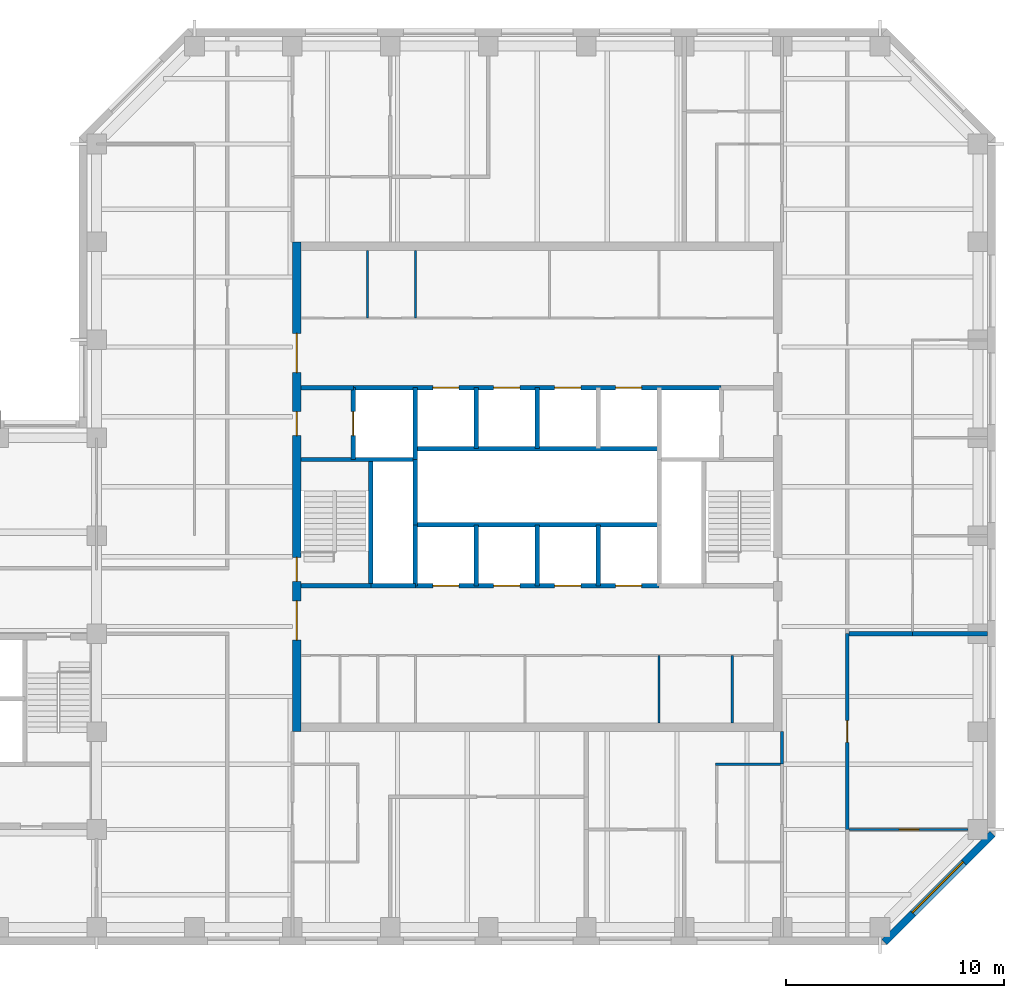
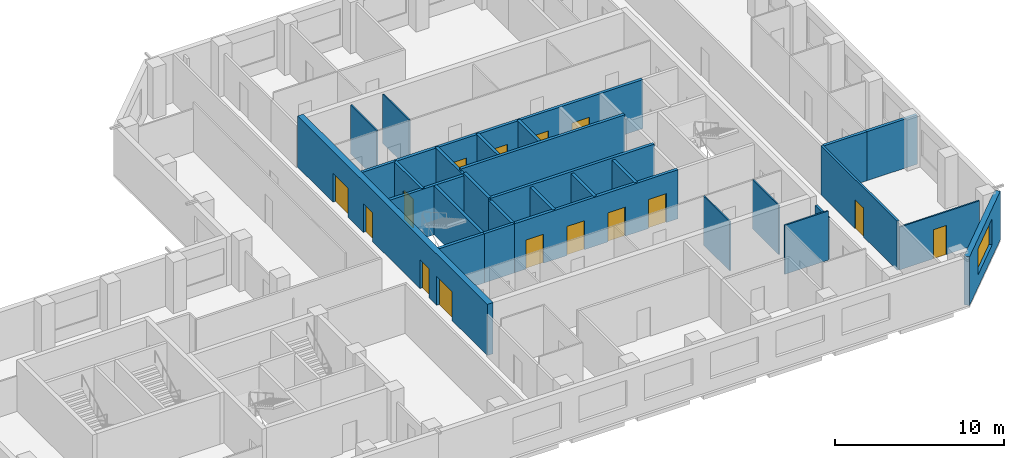
# One storey, part 5 of 9: 30 walls, 15 doors, 1 window, 16 openings.
"""IFC4 building model written with IfcOpenShell, lengths in metres."""

from ifc_helpers import new_model, si_unit, direction, frame, frame_2d, origin, place, context, subcontext, project, spatial, rectangle, extrude, material, layer, layer_set, constituent, constituent_set, type_object, element, fill, save


model = new_model("IFC4")

# Units and contexts
model_context = context("Model", 3, precision=1e-05, world=origin(), true_north=direction((0.0, 1.0)))
body_context = subcontext(model_context, "Body", "Model", "MODEL_VIEW")
ifc_project = project(units=[si_unit("LENGTHUNIT", "METRE"), si_unit("AREAUNIT", "SQUARE_METRE"), si_unit("VOLUMEUNIT", "CUBIC_METRE"), si_unit("PLANEANGLEUNIT", "RADIAN"), si_unit("MASSUNIT", "GRAM", prefix="KILO")], contexts=[model_context])

# Site, building, storey
site_placement = place(None, origin())
site = spatial("IfcSite", under=ifc_project, at=site_placement, CompositionType="ELEMENT")
building_placement = place(site_placement, origin())
building = spatial("IfcBuilding", under=site, at=building_placement, Name="Quoin Convention Tower", CompositionType="ELEMENT")
storey_placement = place(building_placement, frame((0.0, 0.0, 215.60009765625)))
storey = spatial("IfcBuildingStorey", under=building, at=storey_placement, Name="L56", CompositionType="ELEMENT", Elevation=215.60009765625)

# Wall, opening, window
ifc_material_1 = material(Name="Brick masonry", Category="masonry")
ifc_layer_1 = layer(ifc_material_1, 0.35009765625)
ifc_layer_set_1 = layer_set([ifc_layer_1], Name="Brick masonry")
wall_type_1 = type_object("IfcWallType", Name="Brick facade wall", PredefinedType="STANDARD", material=ifc_layer_set_1)
wall_1_placement = place(storey_placement, frame((72.20751953125, 39.82373046875, 0.0), z_axis=(0.0, 0.0, 1.0), x_axis=(0.707106781187, 0.707106781187, 0.0)))
wall_1 = element("IfcWall", 1, at=wall_1_placement, inside=storey, type_object=wall_type_1, Name="fw-L56-72000_40500", PredefinedType="STANDARD", context=body_context, shape_type="SweptSolid", body=[
    extrude(rectangle(XDim=7.02685546875, YDim=0.35009765625, at=frame_2d((3.513427734375, 0.0))), origin(), (0.0, 0.0, 1.0), 3.52490234375),
])
opening_1_placement = place(wall_1_placement, frame((1.86328125, 0.0, 0.89990234375)))
opening_1 = element("IfcOpeningElement", 2, at=opening_1_placement, cuts=wall_1, Name="Opening W-02", PredefinedType="OPENING", context=body_context, shape_type="SweptSolid", body=[
    extrude(rectangle(XDim=3.300048828125, YDim=1.89990234375, at=frame_2d((1.64990234375, 0.949951171875))), frame((0.0, 0.18505859375, 0.0), z_axis=(0.0, -1.0, 0.0), x_axis=(1.0, 0.0, 0.0)), (0.0, 0.0, 1.0), 0.3701171875),
])
ifc_material_2 = material(Name="Aluminium", Category="aluminium")
ifc_constituent_1 = constituent(ifc_material_2, Name="Frame")
ifc_material_3 = material(Name="Insulated glass", Category="glass")
ifc_constituent_2 = constituent(ifc_material_3, Name="Glazing")
ifc_constituent_set = constituent_set(constituents=[ifc_constituent_1, ifc_constituent_2], Name="Aluminium")
window_type = type_object("IfcWindowType", Name="Office window", PartitioningType="DOUBLE_PANEL_VERTICAL", PredefinedType="WINDOW", material=ifc_constituent_set)
window_placement = place(opening_1_placement, origin())
window = element("IfcWindow", 3, at=window_placement, inside=storey, type_object=window_type, Name="win-L56-74692_42308", OverallHeight=1.89990234375, OverallWidth=3.300048828125, PartitioningType="SINGLE_PANEL", PredefinedType="WINDOW", context=body_context, shape_type="SweptSolid", body=[
    extrude(rectangle(XDim=3.300048828125, YDim=1.89990234375, at=frame_2d((1.64990234375, 0.949951171875))), frame((0.0, 0.0849609375, 0.0), z_axis=(0.0, -1.0, 0.0), x_axis=(1.0, 0.0, 0.0)), (0.0, 0.0, 1.0), 0.06005859375),
])
fill(opening_1, window)

# Walls
ifc_material_4 = material(Name="Plasterboard")
ifc_layer_2 = layer(ifc_material_4, 0.012451171875, Name="Finish")
ifc_material_5 = material(Name="Steel stud framing", Category="steel")
ifc_layer_3 = layer(ifc_material_5, 0.074951171875, Name="Structure")
ifc_layer_4 = layer(ifc_material_4, 0.012451171875, Name="Finish")
ifc_layer_set_2 = layer_set([ifc_layer_2, ifc_layer_3, ifc_layer_4], Name="Steel stud framing")
wall_type_2 = type_object("IfcWallType", Name="Core partition wall", PredefinedType="PARTITIONING", material=ifc_layer_set_2)
for number, where, z_axis, x_axis, name in (
    (4, (48.445068359375, 68.5, 0.0), (0.0, 0.0, 1.0), (0.0, 1.0, 0.0), "cr-C1-L56-v3445_19000"),
    (5, (50.64990234375, 68.5, 0.0), (0.0, 0.0, 1.0), (0.0, 1.0, 0.0), "cr-C1-L56-v5650_19000"),
    (6, (61.85009765625, 49.89990234375, 0.0), (0.0, 0.0, 1.0), (0.0, 1.0, 0.0), "cr-C1-L56-v16850_400"),
    (7, (65.2099609375, 49.89990234375, 0.0), (0.0, 0.0, 1.0), (0.0, 1.0, 0.0), "cr-C1-L56-v20210_400"),
):
    element("IfcWall", number, at=place(storey_placement, frame(where, z_axis=z_axis, x_axis=x_axis)), inside=storey, type_object=wall_type_2, Name=name, PredefinedType="PARTITIONING", context=body_context, shape_type="SweptSolid", body=[
        extrude(rectangle(XDim=3.10009765625, YDim=0.10009765625, at=frame_2d((1.550048828125, 0.0))), origin(), (0.0, 0.0, 1.0), 3.5498046875),
    ])
ifc_material_6 = material(Name="Concrete C50", Category="concrete")
ifc_layer_5 = layer(ifc_material_6, 0.199951171875)
ifc_layer_set_3 = layer_set([ifc_layer_5], Name="Concrete C50")
wall_type_3 = type_object("IfcWallType", Name="Core shaft wall", PredefinedType="SOLIDWALL", material=ifc_layer_set_3)
wall_2_placement = place(storey_placement, frame((48.60009765625, 56.199951171875, 0.0), z_axis=(0.0, 0.0, 1.0), x_axis=(1.0, 0.0, 0.0)))
element("IfcWall", 8, at=wall_2_placement, inside=storey, type_object=wall_type_3, Name="cr-C1-L56-h6700_3600", PredefinedType="SOLIDWALL", context=body_context, shape_type="SweptSolid", body=[
    extrude(rectangle(XDim=2.0498046875, YDim=0.199951171875, at=frame_2d((1.02490234375, 0.0))), origin(), (0.0, 0.0, 1.0), 3.5498046875),
])
wall_3_placement = place(storey_placement, frame((45.39990234375, 56.199951171875, 0.0), z_axis=(0.0, 0.0, 1.0), x_axis=(1.0, 0.0, 0.0)))
element("IfcWall", 9, at=wall_3_placement, inside=storey, type_object=wall_type_3, Name="cr-C1-L56-h6700_400", PredefinedType="SOLIDWALL", context=body_context, shape_type="SweptSolid", body=[
    extrude(rectangle(XDim=3.2001953125, YDim=0.199951171875, at=frame_2d((1.60009765625, 0.0))), origin(), (0.0, 0.0, 1.0), 3.5498046875),
])

# Wall, openings, doors
wall_4_placement = place(storey_placement, frame((50.64990234375, 56.199951171875, 0.0), z_axis=(0.0, 0.0, 1.0), x_axis=(1.0, 0.0, 0.0)))
wall_4 = element("IfcWall", 10, at=wall_4_placement, inside=storey, type_object=wall_type_3, Name="cr-C1-L56-h6700_5650", PredefinedType="SOLIDWALL", context=body_context, shape_type="SweptSolid", body=[
    extrude(rectangle(XDim=11.2001953125, YDim=0.199951171875, at=frame_2d((5.60009765625, 0.0))), origin(), (0.0, 0.0, 1.0), 3.5498046875),
])
opening_2_placement = place(wall_4_placement, frame((0.800048828125, 0.0, 0.0)))
opening_2 = element("IfcOpeningElement", 11, at=opening_2_placement, cuts=wall_4, Name="Opening LDH1", PredefinedType="OPENING", context=body_context, shape_type="SweptSolid", body=[
    extrude(rectangle(XDim=1.199951171875, YDim=2.10009765625, at=frame_2d((0.60009765625, 1.050048828125))), frame((0.0, 0.10986328125, 0.0), z_axis=(0.0, -1.0, 0.0), x_axis=(1.0, 0.0, 0.0)), (0.0, 0.0, 1.0), 0.219970703125),
])
opening_3_placement = place(wall_4_placement, frame((3.60009765625, 0.0, 0.0)))
opening_3 = element("IfcOpeningElement", 12, at=opening_3_placement, cuts=wall_4, Name="Opening LDH2", PredefinedType="OPENING", context=body_context, shape_type="SweptSolid", body=[
    extrude(rectangle(XDim=1.199951171875, YDim=2.10009765625, at=frame_2d((0.60009765625, 1.050048828125))), frame((0.0, 0.10986328125, 0.0), z_axis=(0.0, -1.0, 0.0), x_axis=(1.0, 0.0, 0.0)), (0.0, 0.0, 1.0), 0.219970703125),
])
opening_4_placement = place(wall_4_placement, frame((6.39990234375, 0.0, 0.0)))
opening_4 = element("IfcOpeningElement", 13, at=opening_4_placement, cuts=wall_4, Name="Opening LDH3", PredefinedType="OPENING", context=body_context, shape_type="SweptSolid", body=[
    extrude(rectangle(XDim=1.199951171875, YDim=2.10009765625, at=frame_2d((0.60009765625, 1.050048828125))), frame((0.0, 0.10986328125, 0.0), z_axis=(0.0, -1.0, 0.0), x_axis=(1.0, 0.0, 0.0)), (0.0, 0.0, 1.0), 0.219970703125),
])
opening_5_placement = place(wall_4_placement, frame((9.199951171875, 0.0, 0.0)))
opening_5 = element("IfcOpeningElement", 14, at=opening_5_placement, cuts=wall_4, Name="Opening LDH4", PredefinedType="OPENING", context=body_context, shape_type="SweptSolid", body=[
    extrude(rectangle(XDim=1.199951171875, YDim=2.10009765625, at=frame_2d((0.60009765625, 1.050048828125))), frame((0.0, 0.10986328125, 0.0), z_axis=(0.0, -1.0, 0.0), x_axis=(1.0, 0.0, 0.0)), (0.0, 0.0, 1.0), 0.219970703125),
])
ifc_material_7 = material(Name="Steel door leaf", Category="steel")
door_type_1 = type_object("IfcDoorType", Name="Lift landing door 1200 x 2100", OperationType="DOUBLE_DOOR_SLIDING", PredefinedType="DOOR", material=ifc_material_7)
door_1_placement = place(opening_2_placement, origin())
door_1 = element("IfcDoor", 15, at=door_1_placement, inside=storey, type_object=door_type_1, Name="cd-C1-L56-R20-lobA-LDH1", OperationType="DOUBLE_DOOR_SLIDING", OverallHeight=2.10009765625, OverallWidth=1.199951171875, PredefinedType="DOOR", context=body_context, shape_type="SweptSolid", body=[
    extrude(rectangle(XDim=1.199951171875, YDim=2.10009765625, at=frame_2d((0.60009765625, 1.050048828125))), frame((0.0, 0.02490234375, 0.0), z_axis=(0.0, -1.0, 0.0), x_axis=(1.0, 0.0, 0.0)), (0.0, 0.0, 1.0), 0.050048828125),
])
fill(opening_2, door_1)
door_2_placement = place(opening_3_placement, origin())
door_2 = element("IfcDoor", 16, at=door_2_placement, inside=storey, type_object=door_type_1, Name="cd-C1-L56-R21-lobA-LDH2", OperationType="DOUBLE_DOOR_SLIDING", OverallHeight=2.10009765625, OverallWidth=1.199951171875, PredefinedType="DOOR", context=body_context, shape_type="SweptSolid", body=[
    extrude(rectangle(XDim=1.199951171875, YDim=2.10009765625, at=frame_2d((0.60009765625, 1.050048828125))), frame((0.0, 0.02490234375, 0.0), z_axis=(0.0, -1.0, 0.0), x_axis=(1.0, 0.0, 0.0)), (0.0, 0.0, 1.0), 0.050048828125),
])
fill(opening_3, door_2)
door_3_placement = place(opening_4_placement, origin())
door_3 = element("IfcDoor", 17, at=door_3_placement, inside=storey, type_object=door_type_1, Name="cd-C1-L56-R22-lobA-LDH3", OperationType="DOUBLE_DOOR_SLIDING", OverallHeight=2.10009765625, OverallWidth=1.199951171875, PredefinedType="DOOR", context=body_context, shape_type="SweptSolid", body=[
    extrude(rectangle(XDim=1.199951171875, YDim=2.10009765625, at=frame_2d((0.60009765625, 1.050048828125))), frame((0.0, 0.02490234375, 0.0), z_axis=(0.0, -1.0, 0.0), x_axis=(1.0, 0.0, 0.0)), (0.0, 0.0, 1.0), 0.050048828125),
])
fill(opening_4, door_3)
door_4_placement = place(opening_5_placement, origin())
door_4 = element("IfcDoor", 18, at=door_4_placement, inside=storey, type_object=door_type_1, Name="cd-C1-L56-R23-lobA-LDH4", OperationType="DOUBLE_DOOR_SLIDING", OverallHeight=2.10009765625, OverallWidth=1.199951171875, PredefinedType="DOOR", context=body_context, shape_type="SweptSolid", body=[
    extrude(rectangle(XDim=1.199951171875, YDim=2.10009765625, at=frame_2d((0.60009765625, 1.050048828125))), frame((0.0, 0.02490234375, 0.0), z_axis=(0.0, -1.0, 0.0), x_axis=(1.0, 0.0, 0.0)), (0.0, 0.0, 1.0), 0.050048828125),
])
fill(opening_5, door_4)

# Walls
wall_5_placement = place(storey_placement, frame((45.39990234375, 62.0, 0.0), z_axis=(0.0, 0.0, 1.0), x_axis=(1.0, 0.0, 0.0)))
element("IfcWall", 19, at=wall_5_placement, inside=storey, type_object=wall_type_3, Name="cr-C1-L56-h12500_400", PredefinedType="SOLIDWALL", context=body_context, shape_type="SweptSolid", body=[
    extrude(rectangle(XDim=5.25, YDim=0.199951171875, at=frame_2d((2.625, 0.0))), origin(), (0.0, 0.0, 1.0), 3.5498046875),
])
wall_6_placement = place(storey_placement, frame((45.39990234375, 65.300048828125, 0.0), z_axis=(0.0, 0.0, 1.0), x_axis=(1.0, 0.0, 0.0)))
element("IfcWall", 20, at=wall_6_placement, inside=storey, type_object=wall_type_3, Name="cr-C1-L56-h15800_400", PredefinedType="SOLIDWALL", context=body_context, shape_type="SweptSolid", body=[
    extrude(rectangle(XDim=2.400146484375, YDim=0.199951171875, at=frame_2d((1.2001953125, 0.0))), origin(), (0.0, 0.0, 1.0), 3.5498046875),
])

# Wall, openings, doors
wall_7_placement = place(storey_placement, frame((47.800048828125, 65.300048828125, 0.0), z_axis=(0.0, 0.0, 1.0), x_axis=(1.0, 0.0, 0.0)))
wall_7 = element("IfcWall", 21, at=wall_7_placement, inside=storey, type_object=wall_type_3, Name="cr-C1-L56-h15800_2800", PredefinedType="SOLIDWALL", context=body_context, shape_type="SweptSolid", body=[
    extrude(rectangle(XDim=16.89990234375, YDim=0.199951171875, at=frame_2d((8.449951171875, 0.0))), origin(), (0.0, 0.0, 1.0), 3.5498046875),
])
opening_6_placement = place(wall_7_placement, frame((3.64990234375, 0.0, 0.0)))
opening_6 = element("IfcOpeningElement", 22, at=opening_6_placement, cuts=wall_7, Name="Opening LDH5", PredefinedType="OPENING", context=body_context, shape_type="SweptSolid", body=[
    extrude(rectangle(XDim=1.199951171875, YDim=2.10009765625, at=frame_2d((0.60009765625, 1.050048828125))), frame((0.0, 0.10986328125, 0.0), z_axis=(0.0, -1.0, 0.0), x_axis=(1.0, 0.0, 0.0)), (0.0, 0.0, 1.0), 0.219970703125),
])
opening_7_placement = place(wall_7_placement, frame((6.449951171875, 0.0, 0.0)))
opening_7 = element("IfcOpeningElement", 23, at=opening_7_placement, cuts=wall_7, Name="Opening LDH6", PredefinedType="OPENING", context=body_context, shape_type="SweptSolid", body=[
    extrude(rectangle(XDim=1.199951171875, YDim=2.10009765625, at=frame_2d((0.60009765625, 1.050048828125))), frame((0.0, 0.10986328125, 0.0), z_axis=(0.0, -1.0, 0.0), x_axis=(1.0, 0.0, 0.0)), (0.0, 0.0, 1.0), 0.219970703125),
])
opening_8_placement = place(wall_7_placement, frame((9.25, 0.0, 0.0)))
opening_8 = element("IfcOpeningElement", 24, at=opening_8_placement, cuts=wall_7, Name="Opening LDH7", PredefinedType="OPENING", context=body_context, shape_type="SweptSolid", body=[
    extrude(rectangle(XDim=1.199951171875, YDim=2.10009765625, at=frame_2d((0.60009765625, 1.050048828125))), frame((0.0, 0.10986328125, 0.0), z_axis=(0.0, -1.0, 0.0), x_axis=(1.0, 0.0, 0.0)), (0.0, 0.0, 1.0), 0.219970703125),
])
opening_9_placement = place(wall_7_placement, frame((12.050048828125, 0.0, 0.0)))
opening_9 = element("IfcOpeningElement", 25, at=opening_9_placement, cuts=wall_7, Name="Opening LDH8", PredefinedType="OPENING", context=body_context, shape_type="SweptSolid", body=[
    extrude(rectangle(XDim=1.199951171875, YDim=2.10009765625, at=frame_2d((0.60009765625, 1.050048828125))), frame((0.0, 0.10986328125, 0.0), z_axis=(0.0, -1.0, 0.0), x_axis=(1.0, 0.0, 0.0)), (0.0, 0.0, 1.0), 0.219970703125),
])
door_5_placement = place(opening_6_placement, origin())
door_5 = element("IfcDoor", 26, at=door_5_placement, inside=storey, type_object=door_type_1, Name="cd-C1-L56-R30-lobB-LDH5", OperationType="DOUBLE_DOOR_SLIDING", OverallHeight=2.10009765625, OverallWidth=1.199951171875, PredefinedType="DOOR", context=body_context, shape_type="SweptSolid", body=[
    extrude(rectangle(XDim=1.199951171875, YDim=2.10009765625, at=frame_2d((0.60009765625, 1.050048828125))), frame((0.0, 0.02490234375, 0.0), z_axis=(0.0, -1.0, 0.0), x_axis=(1.0, 0.0, 0.0)), (0.0, 0.0, 1.0), 0.050048828125),
])
fill(opening_6, door_5)
door_6_placement = place(opening_7_placement, origin())
door_6 = element("IfcDoor", 27, at=door_6_placement, inside=storey, type_object=door_type_1, Name="cd-C1-L56-R31-lobB-LDH6", OperationType="DOUBLE_DOOR_SLIDING", OverallHeight=2.10009765625, OverallWidth=1.199951171875, PredefinedType="DOOR", context=body_context, shape_type="SweptSolid", body=[
    extrude(rectangle(XDim=1.199951171875, YDim=2.10009765625, at=frame_2d((0.60009765625, 1.050048828125))), frame((0.0, 0.02490234375, 0.0), z_axis=(0.0, -1.0, 0.0), x_axis=(1.0, 0.0, 0.0)), (0.0, 0.0, 1.0), 0.050048828125),
])
fill(opening_7, door_6)
door_7_placement = place(opening_8_placement, origin())
door_7 = element("IfcDoor", 28, at=door_7_placement, inside=storey, type_object=door_type_1, Name="cd-C1-L56-R32-lobB-LDH7", OperationType="DOUBLE_DOOR_SLIDING", OverallHeight=2.10009765625, OverallWidth=1.199951171875, PredefinedType="DOOR", context=body_context, shape_type="SweptSolid", body=[
    extrude(rectangle(XDim=1.199951171875, YDim=2.10009765625, at=frame_2d((0.60009765625, 1.050048828125))), frame((0.0, 0.02490234375, 0.0), z_axis=(0.0, -1.0, 0.0), x_axis=(1.0, 0.0, 0.0)), (0.0, 0.0, 1.0), 0.050048828125),
])
fill(opening_8, door_7)
door_8_placement = place(opening_9_placement, origin())
door_8 = element("IfcDoor", 29, at=door_8_placement, inside=storey, type_object=door_type_1, Name="cd-C1-L56-R33-lobB-LDH8", OperationType="DOUBLE_DOOR_SLIDING", OverallHeight=2.10009765625, OverallWidth=1.199951171875, PredefinedType="DOOR", context=body_context, shape_type="SweptSolid", body=[
    extrude(rectangle(XDim=1.199951171875, YDim=2.10009765625, at=frame_2d((0.60009765625, 1.050048828125))), frame((0.0, 0.02490234375, 0.0), z_axis=(0.0, -1.0, 0.0), x_axis=(1.0, 0.0, 0.0)), (0.0, 0.0, 1.0), 0.050048828125),
])
fill(opening_9, door_8)

# Wall, opening, door
wall_8_placement = place(storey_placement, frame((47.800048828125, 62.0, 0.0), z_axis=(0.0, 0.0, 1.0), x_axis=(0.0, 1.0, 0.0)))
wall_8 = element("IfcWall", 30, at=wall_8_placement, inside=storey, type_object=wall_type_3, Name="cr-C1-L56-v2800_12500", PredefinedType="SOLIDWALL", context=body_context, shape_type="SweptSolid", body=[
    extrude(rectangle(XDim=3.300048828125, YDim=0.199951171875, at=frame_2d((1.64990234375, 0.0))), origin(), (0.0, 0.0, 1.0), 3.5498046875),
])
opening_10_placement = place(wall_8_placement, frame((1.10009765625, 0.0, 0.0)))
opening_10 = element("IfcOpeningElement", 31, at=opening_10_placement, cuts=wall_8, Name="Opening LDFL1", PredefinedType="OPENING", context=body_context, shape_type="SweptSolid", body=[
    extrude(rectangle(XDim=1.10009765625, YDim=2.10009765625, at=frame_2d((0.550048828125, 1.050048828125))), frame((0.0, 0.10986328125, 0.0), z_axis=(0.0, -1.0, 0.0), x_axis=(1.0, 0.0, 0.0)), (0.0, 0.0, 1.0), 0.219970703125),
])
door_type_2 = type_object("IfcDoorType", Name="Lift landing door 1100 x 2100", OperationType="DOUBLE_DOOR_SLIDING", PredefinedType="DOOR", material=ifc_material_7)
door_9_placement = place(opening_10_placement, origin())
door_9 = element("IfcDoor", 32, at=door_9_placement, inside=storey, type_object=door_type_2, Name="cd-C1-L56-FLW-FFW-LDFL1", OperationType="DOUBLE_DOOR_SLIDING", OverallHeight=2.10009765625, OverallWidth=1.10009765625, PredefinedType="DOOR", context=body_context, shape_type="SweptSolid", body=[
    extrude(rectangle(XDim=1.10009765625, YDim=2.10009765625, at=frame_2d((0.550048828125, 1.050048828125))), frame((0.0, 0.02490234375, 0.0), z_axis=(0.0, -1.0, 0.0), x_axis=(1.0, 0.0, 0.0)), (0.0, 0.0, 1.0), 0.050048828125),
])
fill(opening_10, door_9)

# Walls
wall_9_placement = place(storey_placement, frame((48.60009765625, 56.199951171875, 0.0), z_axis=(0.0, 0.0, 1.0), x_axis=(0.0, 1.0, 0.0)))
element("IfcWall", 33, at=wall_9_placement, inside=storey, type_object=wall_type_3, Name="cr-C1-L56-v3600_6700", PredefinedType="SOLIDWALL", context=body_context, shape_type="SweptSolid", body=[
    extrude(rectangle(XDim=5.800048828125, YDim=0.199951171875, at=frame_2d((2.89990234375, 0.0))), origin(), (0.0, 0.0, 1.0), 3.5498046875),
])
wall_10_placement = place(storey_placement, frame((50.64990234375, 56.199951171875, 0.0), z_axis=(0.0, 0.0, 1.0), x_axis=(0.0, 1.0, 0.0)))
element("IfcWall", 34, at=wall_10_placement, inside=storey, type_object=wall_type_3, Name="cr-C1-L56-v5650_6700", PredefinedType="SOLIDWALL", context=body_context, shape_type="SweptSolid", body=[
    extrude(rectangle(XDim=2.800048828125, YDim=0.199951171875, at=frame_2d((1.39990234375, 0.0))), origin(), (0.0, 0.0, 1.0), 3.5498046875),
])
wall_11_placement = place(storey_placement, frame((50.64990234375, 62.0, 0.0), z_axis=(0.0, 0.0, 1.0), x_axis=(0.0, 1.0, 0.0)))
element("IfcWall", 35, at=wall_11_placement, inside=storey, type_object=wall_type_3, Name="cr-C1-L56-v5650_12500", PredefinedType="SOLIDWALL", context=body_context, shape_type="SweptSolid", body=[
    extrude(rectangle(XDim=3.300048828125, YDim=0.199951171875, at=frame_2d((1.64990234375, 0.0))), origin(), (0.0, 0.0, 1.0), 3.5498046875),
])
for number, where, z_axis, x_axis, name in (
    (36, (53.449951171875, 56.199951171875, 0.0), (0.0, 0.0, 1.0), (0.0, 1.0, 0.0), "cr-C1-L56-v8450_6700"),
    (37, (53.449951171875, 62.5, 0.0), (0.0, 0.0, 1.0), (0.0, 1.0, 0.0), "cr-C1-L56-v8450_13000"),
    (38, (56.25, 56.199951171875, 0.0), (0.0, 0.0, 1.0), (0.0, 1.0, 0.0), "cr-C1-L56-v11250_6700"),
    (39, (56.25, 62.5, 0.0), (0.0, 0.0, 1.0), (0.0, 1.0, 0.0), "cr-C1-L56-v11250_13000"),
    (40, (59.050048828125, 56.199951171875, 0.0), (0.0, 0.0, 1.0), (0.0, 1.0, 0.0), "cr-C1-L56-v14050_6700"),
):
    element("IfcWall", number, at=place(storey_placement, frame(where, z_axis=z_axis, x_axis=x_axis)), inside=storey, type_object=wall_type_3, Name=name, PredefinedType="SOLIDWALL", context=body_context, shape_type="SweptSolid", body=[
        extrude(rectangle(XDim=2.800048828125, YDim=0.199951171875, at=frame_2d((1.39990234375, 0.0))), origin(), (0.0, 0.0, 1.0), 3.5498046875),
    ])
ifc_layer_6 = layer(ifc_material_6, 0.199951171875)
ifc_layer_set_4 = layer_set([ifc_layer_6], Name="Concrete C50")
wall_type_4 = type_object("IfcWallType", Name="Core shaft wall to the floor level over", PredefinedType="SOLIDWALL", material=ifc_layer_set_4)
for number, where, z_axis, x_axis, name in (
    (41, (50.64990234375, 59.0, 0.0), (0.0, 0.0, 1.0), (1.0, 0.0, 0.0), "cr-C1-L56-h9500_5650"),
    (42, (50.64990234375, 62.5, 0.0), (0.0, 0.0, 1.0), (1.0, 0.0, 0.0), "cr-C1-L56-h13000_5650"),
):
    element("IfcWall", number, at=place(storey_placement, frame(where, z_axis=z_axis, x_axis=x_axis)), inside=storey, type_object=wall_type_4, Name=name, PredefinedType="SOLIDWALL", context=body_context, shape_type="SweptSolid", body=[
        extrude(rectangle(XDim=11.2001953125, YDim=0.199951171875, at=frame_2d((5.60009765625, 0.0))), origin(), (0.0, 0.0, 1.0), 3.699951171875),
    ])
wall_12_placement = place(storey_placement, frame((50.64990234375, 59.0, 0.0), z_axis=(0.0, 0.0, 1.0), x_axis=(0.0, 1.0, 0.0)))
element("IfcWall", 43, at=wall_12_placement, inside=storey, type_object=wall_type_4, Name="cr-C1-L56-v5650_9500", PredefinedType="SOLIDWALL", context=body_context, shape_type="SweptSolid", body=[
    extrude(rectangle(XDim=3.0, YDim=0.199951171875, at=frame_2d((1.5, 0.0))), origin(), (0.0, 0.0, 1.0), 3.699951171875),
])

# Wall, opening, door
ifc_layer_7 = layer(ifc_material_4, 0.012451171875, Name="Finish")
ifc_layer_8 = layer(ifc_material_5, 0.125, Name="Structure")
ifc_layer_9 = layer(ifc_material_4, 0.012451171875, Name="Finish")
ifc_layer_set_5 = layer_set([ifc_layer_7, ifc_layer_8, ifc_layer_9], Name="Steel stud framing")
wall_type_5 = type_object("IfcWallType", Name="Corridor wall 150", PredefinedType="PARTITIONING", material=ifc_layer_set_5)
wall_13_placement = place(storey_placement, frame((70.5, 45.0, 0.0), z_axis=(0.0, 0.0, 1.0), x_axis=(0.0, 1.0, 0.0)))
wall_13 = element("IfcWall", 44, at=wall_13_placement, inside=storey, type_object=wall_type_5, Name="pw-L56-040", PredefinedType="PARTITIONING", context=body_context, shape_type="SweptSolid", body=[
    extrude(rectangle(XDim=9.0, YDim=0.14990234375, at=frame_2d((4.5, 0.0))), origin(), (0.0, 0.0, 1.0), 3.5498046875),
])
opening_11_placement = place(wall_13_placement, frame((4.0, 0.0, 0.0)))
opening_11 = element("IfcOpeningElement", 45, at=opening_11_placement, cuts=wall_13, Name="Opening DOH9-14", PredefinedType="OPENING", context=body_context, shape_type="SweptSolid", body=[
    extrude(rectangle(XDim=1.0, YDim=2.10009765625, at=frame_2d((0.5, 1.050048828125))), frame((0.0, 0.0849609375, 0.0), z_axis=(0.0, -1.0, 0.0), x_axis=(1.0, 0.0, 0.0)), (0.0, 0.0, 1.0), 0.169921875),
])
door_type_3 = type_object("IfcDoorType", Name="Tenancy entrance door 1000 x 2100", OperationType="DOUBLE_DOOR_SINGLE_SWING", PredefinedType="DOOR", material=ifc_material_7)
door_10_placement = place(opening_11_placement, frame((1.0, 0.0, 0.0), z_axis=(0.0, 0.0, 1.0), x_axis=(-1.0, 0.0, 0.0)))
door_10 = element("IfcDoor", 46, at=door_10_placement, inside=storey, type_object=door_type_3, Name="dr-L56-20", OperationType="DOUBLE_DOOR_SINGLE_SWING", OverallHeight=2.10009765625, OverallWidth=1.0, PredefinedType="DOOR", context=body_context, shape_type="SweptSolid", body=[
    extrude(rectangle(XDim=1.0, YDim=2.10009765625, at=frame_2d((0.5, 1.050048828125))), frame((0.0, 0.02490234375, 0.0), z_axis=(0.0, -1.0, 0.0), x_axis=(1.0, 0.0, 0.0)), (0.0, 0.0, 1.0), 0.050048828125),
])
fill(opening_11, door_10)

# Wall
ifc_layer_10 = layer(ifc_material_4, 0.012451171875, Name="Finish")
ifc_layer_11 = layer(ifc_material_5, 0.125, Name="Structure")
ifc_layer_12 = layer(ifc_material_4, 0.012451171875, Name="Finish")
ifc_layer_set_6 = layer_set([ifc_layer_10, ifc_layer_11, ifc_layer_12], Name="Steel stud framing")
wall_type_6 = type_object("IfcWallType", Name="Corridor wall 150 under beam 528", PredefinedType="PARTITIONING", material=ifc_layer_set_6)
wall_14_placement = place(storey_placement, frame((67.5, 48.0, 0.0), z_axis=(0.0, 0.0, 1.0), x_axis=(0.0, 1.0, 0.0)))
element("IfcWall", 47, at=wall_14_placement, inside=storey, type_object=wall_type_6, Name="pw-L56-046", PredefinedType="PARTITIONING", context=body_context, shape_type="SweptSolid", body=[
    extrude(rectangle(XDim=1.5, YDim=0.14990234375, at=frame_2d((0.75, 0.0))), origin(), (0.0, 0.0, 1.0), 3.02197265625),
])

# Wall, openings, doors
ifc_layer_13 = layer(ifc_material_6, 0.39990234375)
ifc_layer_set_7 = layer_set([ifc_layer_13], Name="Concrete C50")
wall_type_7 = type_object("IfcWallType", Name="RC CORE WALL 400 C50", PredefinedType="SHEAR", material=ifc_layer_set_7)
wall_15_placement = place(storey_placement, frame((45.199951171875, 49.5, 0.0), z_axis=(0.0, 0.0, 1.0), x_axis=(0.0, 1.0, 0.0)))
wall_15 = element("IfcWall", 48, at=wall_15_placement, inside=storey, type_object=wall_type_7, Name="cwl-C1-L56-W", PredefinedType="SHEAR", context=body_context, shape_type="SweptSolid", body=[
    extrude(rectangle(XDim=22.5, YDim=0.39990234375, at=frame_2d((11.25, 0.0))), origin(), (0.0, 0.0, 1.0), 3.699951171875),
])
opening_12_placement = place(wall_15_placement, frame((4.199951171875, 0.0, 0.0)))
opening_12 = element("IfcOpeningElement", 49, at=opening_12_placement, cuts=wall_15, Name="Opening DCV1-49", PredefinedType="OPENING", context=body_context, shape_type="SweptSolid", body=[
    extrude(rectangle(XDim=1.800048828125, YDim=2.10009765625, at=frame_2d((0.89990234375, 1.050048828125))), frame((0.0, 0.2099609375, 0.0), z_axis=(0.0, -1.0, 0.0), x_axis=(1.0, 0.0, 0.0)), (0.0, 0.0, 1.0), 0.419921875),
])
opening_13_placement = place(wall_15_placement, frame((6.89990234375, 0.0, 0.0)))
opening_13 = element("IfcOpeningElement", 50, at=opening_13_placement, cuts=wall_15, Name="Opening SD1", PredefinedType="OPENING", context=body_context, shape_type="SweptSolid", body=[
    extrude(rectangle(XDim=1.10009765625, YDim=2.10009765625, at=frame_2d((0.550048828125, 1.050048828125))), frame((0.0, 0.2099609375, 0.0), z_axis=(0.0, -1.0, 0.0), x_axis=(1.0, 0.0, 0.0)), (0.0, 0.0, 1.0), 0.419921875),
])
opening_14_placement = place(wall_15_placement, frame((13.60009765625, 0.0, 0.0)))
opening_14 = element("IfcOpeningElement", 51, at=opening_14_placement, cuts=wall_15, Name="Opening DCV1-48", PredefinedType="OPENING", context=body_context, shape_type="SweptSolid", body=[
    extrude(rectangle(XDim=1.10009765625, YDim=2.10009765625, at=frame_2d((0.550048828125, 1.050048828125))), frame((0.0, 0.2099609375, 0.0), z_axis=(0.0, -1.0, 0.0), x_axis=(1.0, 0.0, 0.0)), (0.0, 0.0, 1.0), 0.419921875),
])
opening_15_placement = place(wall_15_placement, frame((16.5, 0.0, 0.0)))
opening_15 = element("IfcOpeningElement", 52, at=opening_15_placement, cuts=wall_15, Name="Opening DCV1-49", PredefinedType="OPENING", context=body_context, shape_type="SweptSolid", body=[
    extrude(rectangle(XDim=1.800048828125, YDim=2.10009765625, at=frame_2d((0.89990234375, 1.050048828125))), frame((0.0, 0.2099609375, 0.0), z_axis=(0.0, -1.0, 0.0), x_axis=(1.0, 0.0, 0.0)), (0.0, 0.0, 1.0), 0.419921875),
])
door_type_4 = type_object("IfcDoorType", Name="Fire-fighting lobby door 1100 x 2100", OperationType="SINGLE_SWING_LEFT", PredefinedType="DOOR", material=ifc_material_7)
door_11_placement = place(opening_14_placement, frame((1.10009765625, 0.0, 0.0), z_axis=(0.0, 0.0, 1.0), x_axis=(-1.0, 0.0, 0.0)))
door_11 = element("IfcDoor", 53, at=door_11_placement, inside=storey, type_object=door_type_4, Name="cd-C1-L56-FFW-W", OperationType="SINGLE_SWING_LEFT", OverallHeight=2.10009765625, OverallWidth=1.10009765625, PredefinedType="DOOR", context=body_context, shape_type="SweptSolid", body=[
    extrude(rectangle(XDim=1.10009765625, YDim=2.10009765625, at=frame_2d((0.550048828125, 1.050048828125))), frame((0.0, 0.02490234375, 0.0), z_axis=(0.0, -1.0, 0.0), x_axis=(1.0, 0.0, 0.0)), (0.0, 0.0, 1.0), 0.050048828125),
])
fill(opening_14, door_11)
door_type_5 = type_object("IfcDoorType", Name="Lift lobby door 1800 x 2100", OperationType="SINGLE_SWING_LEFT", PredefinedType="DOOR", material=ifc_material_7)
door_12_placement = place(opening_12_placement, frame((1.800048828125, 0.0, 0.0), z_axis=(0.0, 0.0, 1.0), x_axis=(-1.0, 0.0, 0.0)))
door_12 = element("IfcDoor", 54, at=door_12_placement, inside=storey, type_object=door_type_5, Name="cd-C1-L56-lobA-W", OperationType="SINGLE_SWING_LEFT", OverallHeight=2.10009765625, OverallWidth=1.800048828125, PredefinedType="DOOR", context=body_context, shape_type="SweptSolid", body=[
    extrude(rectangle(XDim=1.800048828125, YDim=2.10009765625, at=frame_2d((0.89990234375, 1.050048828125))), frame((0.0, 0.02490234375, 0.0), z_axis=(0.0, -1.0, 0.0), x_axis=(1.0, 0.0, 0.0)), (0.0, 0.0, 1.0), 0.050048828125),
])
fill(opening_12, door_12)
door_13_placement = place(opening_15_placement, frame((1.800048828125, 0.0, 0.0), z_axis=(0.0, 0.0, 1.0), x_axis=(-1.0, 0.0, 0.0)))
door_13 = element("IfcDoor", 55, at=door_13_placement, inside=storey, type_object=door_type_5, Name="cd-C1-L56-lobB-W", OperationType="SINGLE_SWING_LEFT", OverallHeight=2.10009765625, OverallWidth=1.800048828125, PredefinedType="DOOR", context=body_context, shape_type="SweptSolid", body=[
    extrude(rectangle(XDim=1.800048828125, YDim=2.10009765625, at=frame_2d((0.89990234375, 1.050048828125))), frame((0.0, 0.02490234375, 0.0), z_axis=(0.0, -1.0, 0.0), x_axis=(1.0, 0.0, 0.0)), (0.0, 0.0, 1.0), 0.050048828125),
])
fill(opening_15, door_13)
door_type_6 = type_object("IfcDoorType", Name="Stair door 1100 x 2100", OperationType="SINGLE_SWING_RIGHT", PredefinedType="DOOR", material=ifc_material_7)
door_14_placement = place(opening_13_placement, frame((1.10009765625, 0.0, 0.0), z_axis=(0.0, 0.0, 1.0), x_axis=(-1.0, 0.0, 0.0)))
door_14 = element("IfcDoor", 56, at=door_14_placement, inside=storey, type_object=door_type_6, Name="cd-C1-L56-STW-W", OperationType="SINGLE_SWING_RIGHT", OverallHeight=2.10009765625, OverallWidth=1.10009765625, PredefinedType="DOOR", context=body_context, shape_type="SweptSolid", body=[
    extrude(rectangle(XDim=1.10009765625, YDim=2.10009765625, at=frame_2d((0.550048828125, 1.050048828125))), frame((0.0, 0.02490234375, 0.0), z_axis=(0.0, -1.0, 0.0), x_axis=(1.0, 0.0, 0.0)), (0.0, 0.0, 1.0), 0.050048828125),
])
fill(opening_13, door_14)

# Wall
ifc_layer_14 = layer(ifc_material_4, 0.012451171875, Name="Finish")
ifc_layer_15 = layer(ifc_material_5, 0.074951171875, Name="Structure")
ifc_layer_16 = layer(ifc_material_4, 0.012451171875, Name="Finish")
ifc_layer_set_8 = layer_set([ifc_layer_14, ifc_layer_15, ifc_layer_16], Name="Steel stud framing")
wall_type_8 = type_object("IfcWallType", Name="Stud partition 100", PredefinedType="PARTITIONING", material=ifc_layer_set_8)
wall_16_placement = place(storey_placement, frame((64.449951171875, 48.0, 0.0), z_axis=(0.0, 0.0, 1.0), x_axis=(1.0, 0.0, 0.0)))
element("IfcWall", 57, at=wall_16_placement, inside=storey, type_object=wall_type_8, Name="pw-L56-010", PredefinedType="PARTITIONING", context=body_context, shape_type="SweptSolid", body=[
    extrude(rectangle(XDim=2.97509765625, YDim=0.10009765625, at=frame_2d((1.487548828125, 0.0))), origin(), (0.0, 0.0, 1.0), 3.5498046875),
])

# Wall, opening, door
ifc_layer_17 = layer(ifc_material_4, 0.012451171875, Name="Finish")
ifc_layer_18 = layer(ifc_material_5, 0.074951171875, Name="Structure")
ifc_layer_19 = layer(ifc_material_4, 0.012451171875, Name="Finish")
ifc_layer_set_9 = layer_set([ifc_layer_17, ifc_layer_18, ifc_layer_19], Name="Steel stud framing")
wall_type_9 = type_object("IfcWallType", Name="Stud partition 100 under beam 454", PredefinedType="PARTITIONING", material=ifc_layer_set_9)
wall_17_placement = place(storey_placement, frame((70.574951171875, 45.0, 0.0), z_axis=(0.0, 0.0, 1.0), x_axis=(1.0, 0.0, 0.0)))
wall_17 = element("IfcWall", 58, at=wall_17_placement, inside=storey, type_object=wall_type_9, Name="pw-L56-006", PredefinedType="PARTITIONING", context=body_context, shape_type="SweptSolid", body=[
    extrude(rectangle(XDim=5.47509765625, YDim=0.10009765625, at=frame_2d((2.737548828125, 0.0))), origin(), (0.0, 0.0, 1.0), 3.095947265625),
])
opening_16_placement = place(wall_17_placement, frame((2.300048828125, 0.0, 0.0)))
opening_16 = element("IfcOpeningElement", 59, at=opening_16_placement, cuts=wall_17, Name="Opening DOH9-02", PredefinedType="OPENING", context=body_context, shape_type="SweptSolid", body=[
    extrude(rectangle(XDim=0.89990234375, YDim=2.10009765625, at=frame_2d((0.449951171875, 1.050048828125))), frame((0.0, 0.06005859375, 0.0), z_axis=(0.0, -1.0, 0.0), x_axis=(1.0, 0.0, 0.0)), (0.0, 0.0, 1.0), 0.1201171875),
])
door_type_7 = type_object("IfcDoorType", Name="Office door 900 x 2100", OperationType="SINGLE_SWING_RIGHT", PredefinedType="DOOR", material=ifc_material_7)
door_15_placement = place(opening_16_placement, origin())
door_15 = element("IfcDoor", 60, at=door_15_placement, inside=storey, type_object=door_type_7, Name="dr-L56-21", OperationType="SINGLE_SWING_RIGHT", OverallHeight=2.10009765625, OverallWidth=0.89990234375, PredefinedType="DOOR", context=body_context, shape_type="SweptSolid", body=[
    extrude(rectangle(XDim=0.89990234375, YDim=2.10009765625, at=frame_2d((0.449951171875, 1.050048828125))), frame((0.0, 0.02490234375, 0.0), z_axis=(0.0, -1.0, 0.0), x_axis=(1.0, 0.0, 0.0)), (0.0, 0.0, 1.0), 0.050048828125),
])
fill(opening_16, door_15)

# Walls
ifc_layer_20 = layer(ifc_material_4, 0.012451171875, Name="Finish")
ifc_layer_21 = layer(ifc_material_5, 0.175048828125, Name="Structure")
ifc_layer_22 = layer(ifc_material_4, 0.012451171875, Name="Finish")
ifc_layer_set_10 = layer_set([ifc_layer_20, ifc_layer_21, ifc_layer_22], Name="Steel stud framing")
wall_type_10 = type_object("IfcWallType", Name="Tenancy demising wall 200", PredefinedType="PARTITIONING", material=ifc_layer_set_10)
wall_18_placement = place(storey_placement, frame((70.574951171875, 54.0, 0.0), z_axis=(0.0, 0.0, 1.0), x_axis=(1.0, 0.0, 0.0)))
element("IfcWall", 61, at=wall_18_placement, inside=storey, type_object=wall_type_10, Name="pw-L56-014", PredefinedType="PARTITIONING", context=body_context, shape_type="SweptSolid", body=[
    extrude(rectangle(XDim=2.925048828125, YDim=0.199951171875, at=frame_2d((1.46240234375, 0.0))), origin(), (0.0, 0.0, 1.0), 3.5498046875),
])
wall_19_placement = place(storey_placement, frame((73.5, 54.0, 0.0), z_axis=(0.0, 0.0, 1.0), x_axis=(1.0, 0.0, 0.0)))
element("IfcWall", 62, at=wall_19_placement, inside=storey, type_object=wall_type_10, Name="pw-L56-015", PredefinedType="PARTITIONING", context=body_context, shape_type="SweptSolid", body=[
    extrude(rectangle(XDim=3.449951171875, YDim=0.199951171875, at=frame_2d((1.72509765625, 0.0))), origin(), (0.0, 0.0, 1.0), 3.5498046875),
])

save(model, "model.ifc")
